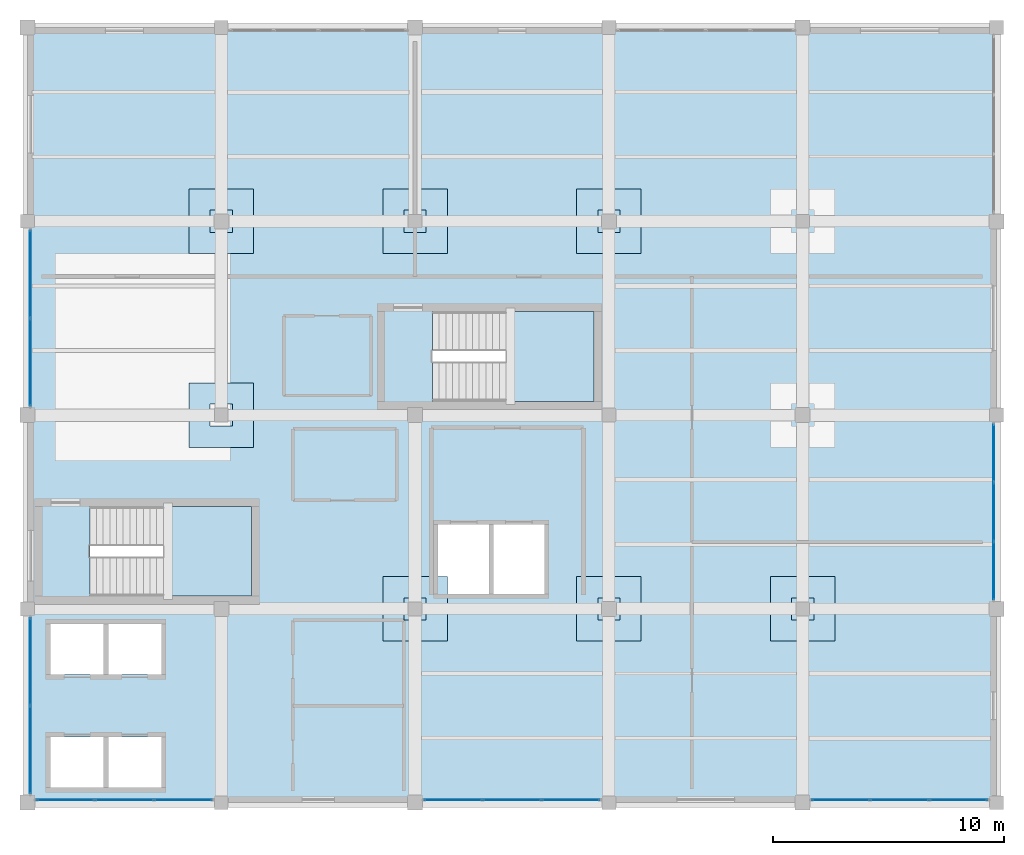
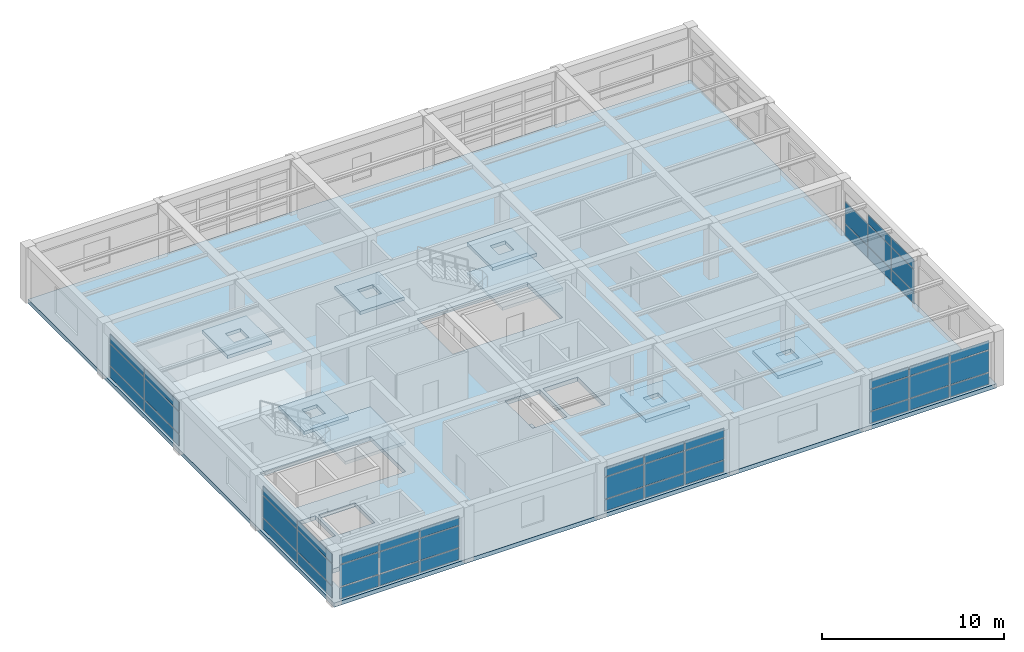
# One storey, part 21 of 25: 47 plates, 10 slabs, 8 elements without a shape of their own.
"""IFC4 building model written with IfcOpenShell, lengths in metres."""

from ifc_helpers import new_model, si_unit, direction, frame, origin, origin_2d, place, context, subcontext, project, spatial, polyline, rectangle, outline, extrude, material, layer, layer_set, type_object, element, aggregate, save


model = new_model("IFC4")

# Units and contexts
model_context = context("Model", 3, precision=1e-05, world=origin(), true_north=direction((0.0, 1.0)))
body_context = subcontext(model_context, "Body", "Model", "MODEL_VIEW")
ifc_project = project(units=[si_unit("LENGTHUNIT", "METRE"), si_unit("AREAUNIT", "SQUARE_METRE"), si_unit("VOLUMEUNIT", "CUBIC_METRE"), si_unit("PLANEANGLEUNIT", "RADIAN"), si_unit("MASSUNIT", "GRAM", prefix="KILO")], contexts=[model_context])

# Site, building, storey
site_placement = place(None, origin())
site = spatial("IfcSite", under=ifc_project, at=site_placement, CompositionType="ELEMENT")
building_placement = place(site_placement, origin())
building = spatial("IfcBuilding", under=site, at=building_placement, Name="Almacenes y Pasaje Nevantli", CompositionType="ELEMENT")
storey_placement = place(building_placement, frame((0.0, 0.0, 50.699951171875)))
storey = spatial("IfcBuildingStorey", under=building, at=storey_placement, Name="L12", CompositionType="ELEMENT", Elevation=50.699951171875)

# Curtain wall, plates
ifc_material_1 = material(Name="Thermally Broken Aluminium and Low-E Glass", Category="aluminium")
curtain_wall_type = type_object("IfcCurtainWallType", Name="CW-UNIT-TOWER", PredefinedType="USERDEFINED", material=ifc_material_1)
curtain_wall_1_placement = place(storey_placement, origin())
curtain_wall_1 = element("IfcCurtainWall", 1, at=curtain_wall_1_placement, inside=storey, type_object=curtain_wall_type, Name="L12 Tower South Unitized Curtain Wall Bay 15", ObjectType="UNITIZED CURTAIN WALL", PredefinedType="USERDEFINED")
ifc_material_2 = material(Name="Low-E Double Glazed Insulated Unit", Category="glass")
ifc_layer_1 = layer(ifc_material_2, 0.031982421875)
ifc_layer_set_1 = layer_set([ifc_layer_1], Name="Low-E Double Glazed Insulated Unit")
plate_type_1 = type_object("IfcPlateType", Name="PL-IGU-32", PredefinedType="CURTAIN_PANEL", material=ifc_layer_set_1)
plate_1_placement = place(storey_placement, frame((119.248291015625, 67.320068359375, 0.06005859375), z_axis=(0.0, 0.0, 1.0), x_axis=(1.0, 0.0, 0.0)))
plate_1 = element("IfcPlate", 2, at=plate_1_placement, type_object=plate_type_1, Name="CW-L12-159 panel 1.1", PredefinedType="CURTAIN_PANEL", context=body_context, shape_type="SweptSolid", body=[
    extrude(rectangle(XDim=2.4765625, YDim=0.031982421875, at=origin_2d()), origin(), (0.0, 0.0, 1.0), 0.760009765625),
])
plate_2_placement = place(storey_placement, frame((119.248291015625, 67.320068359375, 0.880126953125), z_axis=(0.0, 0.0, 1.0), x_axis=(1.0, 0.0, 0.0)))
plate_2 = element("IfcPlate", 3, at=plate_2_placement, type_object=plate_type_1, Name="CW-L12-159 panel 1.2", PredefinedType="CURTAIN_PANEL", context=body_context, shape_type="SweptSolid", body=[
    extrude(rectangle(XDim=2.4765625, YDim=0.031982421875, at=origin_2d()), origin(), (0.0, 0.0, 1.0), 1.43994140625),
])
plate_3_placement = place(storey_placement, frame((119.248291015625, 67.320068359375, 2.3798828125), z_axis=(0.0, 0.0, 1.0), x_axis=(1.0, 0.0, 0.0)))
plate_3 = element("IfcPlate", 4, at=plate_3_placement, type_object=plate_type_1, Name="CW-L12-159 panel 1.3", PredefinedType="CURTAIN_PANEL", context=body_context, shape_type="SweptSolid", body=[
    extrude(rectangle(XDim=2.4765625, YDim=0.031982421875, at=origin_2d()), origin(), (0.0, 0.0, 1.0), 0.60009765625),
])
plate_4_placement = place(storey_placement, frame((121.800048828125, 67.320068359375, 0.06005859375), z_axis=(0.0, 0.0, 1.0), x_axis=(1.0, 0.0, 0.0)))
plate_4 = element("IfcPlate", 5, at=plate_4_placement, type_object=plate_type_1, Name="CW-L12-159 panel 2.1", PredefinedType="CURTAIN_PANEL", context=body_context, shape_type="SweptSolid", body=[
    extrude(rectangle(XDim=2.506591796875, YDim=0.031982421875, at=origin_2d()), origin(), (0.0, 0.0, 1.0), 0.760009765625),
])
plate_5_placement = place(storey_placement, frame((121.800048828125, 67.320068359375, 0.880126953125), z_axis=(0.0, 0.0, 1.0), x_axis=(1.0, 0.0, 0.0)))
plate_5 = element("IfcPlate", 6, at=plate_5_placement, type_object=plate_type_1, Name="CW-L12-159 panel 2.2", PredefinedType="CURTAIN_PANEL", context=body_context, shape_type="SweptSolid", body=[
    extrude(rectangle(XDim=2.506591796875, YDim=0.031982421875, at=origin_2d()), origin(), (0.0, 0.0, 1.0), 1.43994140625),
])
plate_6_placement = place(storey_placement, frame((121.800048828125, 67.320068359375, 2.3798828125), z_axis=(0.0, 0.0, 1.0), x_axis=(1.0, 0.0, 0.0)))
plate_6 = element("IfcPlate", 7, at=plate_6_placement, type_object=plate_type_1, Name="CW-L12-159 panel 2.3", PredefinedType="CURTAIN_PANEL", context=body_context, shape_type="SweptSolid", body=[
    extrude(rectangle(XDim=2.506591796875, YDim=0.031982421875, at=origin_2d()), origin(), (0.0, 0.0, 1.0), 0.60009765625),
])
plate_7_placement = place(storey_placement, frame((124.3515625, 67.320068359375, 0.06005859375), z_axis=(0.0, 0.0, 1.0), x_axis=(1.0, 0.0, 0.0)))
plate_7 = element("IfcPlate", 8, at=plate_7_placement, type_object=plate_type_1, Name="CW-L12-159 panel 3.1", PredefinedType="CURTAIN_PANEL", context=body_context, shape_type="SweptSolid", body=[
    extrude(rectangle(XDim=2.4765625, YDim=0.031982421875, at=origin_2d()), origin(), (0.0, 0.0, 1.0), 0.760009765625),
])
plate_8_placement = place(storey_placement, frame((124.3515625, 67.320068359375, 0.880126953125), z_axis=(0.0, 0.0, 1.0), x_axis=(1.0, 0.0, 0.0)))
plate_8 = element("IfcPlate", 9, at=plate_8_placement, type_object=plate_type_1, Name="CW-L12-159 panel 3.2", PredefinedType="CURTAIN_PANEL", context=body_context, shape_type="SweptSolid", body=[
    extrude(rectangle(XDim=2.4765625, YDim=0.031982421875, at=origin_2d()), origin(), (0.0, 0.0, 1.0), 1.43994140625),
])
plate_9_placement = place(storey_placement, frame((124.3515625, 67.320068359375, 2.3798828125), z_axis=(0.0, 0.0, 1.0), x_axis=(1.0, 0.0, 0.0)))
plate_9 = element("IfcPlate", 10, at=plate_9_placement, type_object=plate_type_1, Name="CW-L12-159 panel 3.3", PredefinedType="CURTAIN_PANEL", context=body_context, shape_type="SweptSolid", body=[
    extrude(rectangle(XDim=2.4765625, YDim=0.031982421875, at=origin_2d()), origin(), (0.0, 0.0, 1.0), 0.60009765625),
])
aggregate(curtain_wall_1, [plate_1, plate_2, plate_3, plate_4, plate_5, plate_6, plate_7, plate_8, plate_9])

curtain_wall_2_placement = place(storey_placement, origin())
curtain_wall_2 = element("IfcCurtainWall", 11, at=curtain_wall_2_placement, inside=storey, type_object=curtain_wall_type, Name="L12 Tower South Unitized Curtain Wall Bay 17", ObjectType="UNITIZED CURTAIN WALL", PredefinedType="USERDEFINED")
plate_10_placement = place(storey_placement, frame((136.04833984375, 67.320068359375, 0.06005859375), z_axis=(0.0, 0.0, 1.0), x_axis=(1.0, 0.0, 0.0)))
plate_10 = element("IfcPlate", 12, at=plate_10_placement, type_object=plate_type_1, Name="CW-L12-161 panel 1.1", PredefinedType="CURTAIN_PANEL", context=body_context, shape_type="SweptSolid", body=[
    extrude(rectangle(XDim=2.4765625, YDim=0.031982421875, at=origin_2d()), origin(), (0.0, 0.0, 1.0), 0.760009765625),
])
plate_11_placement = place(storey_placement, frame((136.04833984375, 67.320068359375, 0.880126953125), z_axis=(0.0, 0.0, 1.0), x_axis=(1.0, 0.0, 0.0)))
plate_11 = element("IfcPlate", 13, at=plate_11_placement, type_object=plate_type_1, Name="CW-L12-161 panel 1.2", PredefinedType="CURTAIN_PANEL", context=body_context, shape_type="SweptSolid", body=[
    extrude(rectangle(XDim=2.4765625, YDim=0.031982421875, at=origin_2d()), origin(), (0.0, 0.0, 1.0), 1.43994140625),
])
plate_12_placement = place(storey_placement, frame((136.04833984375, 67.320068359375, 2.3798828125), z_axis=(0.0, 0.0, 1.0), x_axis=(1.0, 0.0, 0.0)))
plate_12 = element("IfcPlate", 14, at=plate_12_placement, type_object=plate_type_1, Name="CW-L12-161 panel 1.3", PredefinedType="CURTAIN_PANEL", context=body_context, shape_type="SweptSolid", body=[
    extrude(rectangle(XDim=2.4765625, YDim=0.031982421875, at=origin_2d()), origin(), (0.0, 0.0, 1.0), 0.60009765625),
])
plate_13_placement = place(storey_placement, frame((138.60009765625, 67.320068359375, 0.06005859375), z_axis=(0.0, 0.0, 1.0), x_axis=(1.0, 0.0, 0.0)))
plate_13 = element("IfcPlate", 15, at=plate_13_placement, type_object=plate_type_1, Name="CW-L12-161 panel 2.1", PredefinedType="CURTAIN_PANEL", context=body_context, shape_type="SweptSolid", body=[
    extrude(rectangle(XDim=2.506591796875, YDim=0.031982421875, at=origin_2d()), origin(), (0.0, 0.0, 1.0), 0.760009765625),
])
plate_14_placement = place(storey_placement, frame((138.60009765625, 67.320068359375, 0.880126953125), z_axis=(0.0, 0.0, 1.0), x_axis=(1.0, 0.0, 0.0)))
plate_14 = element("IfcPlate", 16, at=plate_14_placement, type_object=plate_type_1, Name="CW-L12-161 panel 2.2", PredefinedType="CURTAIN_PANEL", context=body_context, shape_type="SweptSolid", body=[
    extrude(rectangle(XDim=2.506591796875, YDim=0.031982421875, at=origin_2d()), origin(), (0.0, 0.0, 1.0), 1.43994140625),
])
plate_15_placement = place(storey_placement, frame((138.60009765625, 67.320068359375, 2.3798828125), z_axis=(0.0, 0.0, 1.0), x_axis=(1.0, 0.0, 0.0)))
plate_15 = element("IfcPlate", 17, at=plate_15_placement, type_object=plate_type_1, Name="CW-L12-161 panel 2.3", PredefinedType="CURTAIN_PANEL", context=body_context, shape_type="SweptSolid", body=[
    extrude(rectangle(XDim=2.506591796875, YDim=0.031982421875, at=origin_2d()), origin(), (0.0, 0.0, 1.0), 0.60009765625),
])
plate_16_placement = place(storey_placement, frame((141.151611328125, 67.320068359375, 0.06005859375), z_axis=(0.0, 0.0, 1.0), x_axis=(1.0, 0.0, 0.0)))
plate_16 = element("IfcPlate", 18, at=plate_16_placement, type_object=plate_type_1, Name="CW-L12-161 panel 3.1", PredefinedType="CURTAIN_PANEL", context=body_context, shape_type="SweptSolid", body=[
    extrude(rectangle(XDim=2.4765625, YDim=0.031982421875, at=origin_2d()), origin(), (0.0, 0.0, 1.0), 0.760009765625),
])
plate_17_placement = place(storey_placement, frame((141.151611328125, 67.320068359375, 0.880126953125), z_axis=(0.0, 0.0, 1.0), x_axis=(1.0, 0.0, 0.0)))
plate_17 = element("IfcPlate", 19, at=plate_17_placement, type_object=plate_type_1, Name="CW-L12-161 panel 3.2", PredefinedType="CURTAIN_PANEL", context=body_context, shape_type="SweptSolid", body=[
    extrude(rectangle(XDim=2.4765625, YDim=0.031982421875, at=origin_2d()), origin(), (0.0, 0.0, 1.0), 1.43994140625),
])
plate_18_placement = place(storey_placement, frame((141.151611328125, 67.320068359375, 2.3798828125), z_axis=(0.0, 0.0, 1.0), x_axis=(1.0, 0.0, 0.0)))
plate_18 = element("IfcPlate", 20, at=plate_18_placement, type_object=plate_type_1, Name="CW-L12-161 panel 3.3", PredefinedType="CURTAIN_PANEL", context=body_context, shape_type="SweptSolid", body=[
    extrude(rectangle(XDim=2.4765625, YDim=0.031982421875, at=origin_2d()), origin(), (0.0, 0.0, 1.0), 0.60009765625),
])
aggregate(curtain_wall_2, [plate_10, plate_11, plate_12, plate_13, plate_14, plate_15, plate_16, plate_17, plate_18])

curtain_wall_3_placement = place(storey_placement, origin())
curtain_wall_3 = element("IfcCurtainWall", 21, at=curtain_wall_3_placement, inside=storey, type_object=curtain_wall_type, Name="L12 Tower South Unitized Curtain Wall Bay 19", ObjectType="UNITIZED CURTAIN WALL", PredefinedType="USERDEFINED")
plate_19_placement = place(storey_placement, frame((152.848388671875, 67.320068359375, 0.06005859375), z_axis=(0.0, 0.0, 1.0), x_axis=(1.0, 0.0, 0.0)))
plate_19 = element("IfcPlate", 22, at=plate_19_placement, type_object=plate_type_1, Name="CW-L12-163 panel 1.1", PredefinedType="CURTAIN_PANEL", context=body_context, shape_type="SweptSolid", body=[
    extrude(rectangle(XDim=2.4765625, YDim=0.031982421875, at=origin_2d()), origin(), (0.0, 0.0, 1.0), 0.760009765625),
])
plate_20_placement = place(storey_placement, frame((152.848388671875, 67.320068359375, 0.880126953125), z_axis=(0.0, 0.0, 1.0), x_axis=(1.0, 0.0, 0.0)))
plate_20 = element("IfcPlate", 23, at=plate_20_placement, type_object=plate_type_1, Name="CW-L12-163 panel 1.2", PredefinedType="CURTAIN_PANEL", context=body_context, shape_type="SweptSolid", body=[
    extrude(rectangle(XDim=2.4765625, YDim=0.031982421875, at=origin_2d()), origin(), (0.0, 0.0, 1.0), 1.43994140625),
])
plate_21_placement = place(storey_placement, frame((152.848388671875, 67.320068359375, 2.3798828125), z_axis=(0.0, 0.0, 1.0), x_axis=(1.0, 0.0, 0.0)))
plate_21 = element("IfcPlate", 24, at=plate_21_placement, type_object=plate_type_1, Name="CW-L12-163 panel 1.3", PredefinedType="CURTAIN_PANEL", context=body_context, shape_type="SweptSolid", body=[
    extrude(rectangle(XDim=2.4765625, YDim=0.031982421875, at=origin_2d()), origin(), (0.0, 0.0, 1.0), 0.60009765625),
])
plate_22_placement = place(storey_placement, frame((155.39990234375, 67.320068359375, 0.06005859375), z_axis=(0.0, 0.0, 1.0), x_axis=(1.0, 0.0, 0.0)))
plate_22 = element("IfcPlate", 25, at=plate_22_placement, type_object=plate_type_1, Name="CW-L12-163 panel 2.1", PredefinedType="CURTAIN_PANEL", context=body_context, shape_type="SweptSolid", body=[
    extrude(rectangle(XDim=2.506591796875, YDim=0.031982421875, at=origin_2d()), origin(), (0.0, 0.0, 1.0), 0.760009765625),
])
plate_23_placement = place(storey_placement, frame((155.39990234375, 67.320068359375, 0.880126953125), z_axis=(0.0, 0.0, 1.0), x_axis=(1.0, 0.0, 0.0)))
plate_23 = element("IfcPlate", 26, at=plate_23_placement, type_object=plate_type_1, Name="CW-L12-163 panel 2.2", PredefinedType="CURTAIN_PANEL", context=body_context, shape_type="SweptSolid", body=[
    extrude(rectangle(XDim=2.506591796875, YDim=0.031982421875, at=origin_2d()), origin(), (0.0, 0.0, 1.0), 1.43994140625),
])
plate_24_placement = place(storey_placement, frame((155.39990234375, 67.320068359375, 2.3798828125), z_axis=(0.0, 0.0, 1.0), x_axis=(1.0, 0.0, 0.0)))
plate_24 = element("IfcPlate", 27, at=plate_24_placement, type_object=plate_type_1, Name="CW-L12-163 panel 2.3", PredefinedType="CURTAIN_PANEL", context=body_context, shape_type="SweptSolid", body=[
    extrude(rectangle(XDim=2.506591796875, YDim=0.031982421875, at=origin_2d()), origin(), (0.0, 0.0, 1.0), 0.60009765625),
])
plate_25_placement = place(storey_placement, frame((157.95166015625, 67.320068359375, 0.06005859375), z_axis=(0.0, 0.0, 1.0), x_axis=(1.0, 0.0, 0.0)))
plate_25 = element("IfcPlate", 28, at=plate_25_placement, type_object=plate_type_1, Name="CW-L12-163 panel 3.1", PredefinedType="CURTAIN_PANEL", context=body_context, shape_type="SweptSolid", body=[
    extrude(rectangle(XDim=2.4765625, YDim=0.031982421875, at=origin_2d()), origin(), (0.0, 0.0, 1.0), 0.760009765625),
])
plate_26_placement = place(storey_placement, frame((157.95166015625, 67.320068359375, 0.880126953125), z_axis=(0.0, 0.0, 1.0), x_axis=(1.0, 0.0, 0.0)))
plate_26 = element("IfcPlate", 29, at=plate_26_placement, type_object=plate_type_1, Name="CW-L12-163 panel 3.2", PredefinedType="CURTAIN_PANEL", context=body_context, shape_type="SweptSolid", body=[
    extrude(rectangle(XDim=2.4765625, YDim=0.031982421875, at=origin_2d()), origin(), (0.0, 0.0, 1.0), 1.43994140625),
])
plate_27_placement = place(storey_placement, frame((157.95166015625, 67.320068359375, 2.3798828125), z_axis=(0.0, 0.0, 1.0), x_axis=(1.0, 0.0, 0.0)))
plate_27 = element("IfcPlate", 30, at=plate_27_placement, type_object=plate_type_1, Name="CW-L12-163 panel 3.3", PredefinedType="CURTAIN_PANEL", context=body_context, shape_type="SweptSolid", body=[
    extrude(rectangle(XDim=2.4765625, YDim=0.031982421875, at=origin_2d()), origin(), (0.0, 0.0, 1.0), 0.60009765625),
])
aggregate(curtain_wall_3, [plate_19, plate_20, plate_21, plate_22, plate_23, plate_24, plate_25, plate_26, plate_27])

curtain_wall_4_placement = place(storey_placement, origin())
curtain_wall_4 = element("IfcCurtainWall", 31, at=curtain_wall_4_placement, inside=storey, type_object=curtain_wall_type, Name="L12 Tower West Curtain Wall Bay 9", ObjectType="UNITIZED CURTAIN WALL", PredefinedType="USERDEFINED")
plate_28_placement = place(storey_placement, frame((117.719970703125, 69.489990234375, 0.06005859375), z_axis=(0.0, 0.0, 1.0), x_axis=(0.0, 1.0, 0.0)))
plate_28 = element("IfcPlate", 32, at=plate_28_placement, type_object=plate_type_1, Name="CW-L12-164 panel 1.1", PredefinedType="CURTAIN_PANEL", context=body_context, shape_type="SweptSolid", body=[
    extrude(rectangle(XDim=3.760009765625, YDim=0.031982421875, at=origin_2d()), origin(), (0.0, 0.0, 1.0), 0.760009765625),
])
plate_29_placement = place(storey_placement, frame((117.719970703125, 69.489990234375, 0.880126953125), z_axis=(0.0, 0.0, 1.0), x_axis=(0.0, 1.0, 0.0)))
plate_29 = element("IfcPlate", 33, at=plate_29_placement, type_object=plate_type_1, Name="CW-L12-164 panel 1.2", PredefinedType="CURTAIN_PANEL", context=body_context, shape_type="SweptSolid", body=[
    extrude(rectangle(XDim=3.760009765625, YDim=0.031982421875, at=origin_2d()), origin(), (0.0, 0.0, 1.0), 1.43994140625),
])
plate_30_placement = place(storey_placement, frame((117.719970703125, 69.489990234375, 2.3798828125), z_axis=(0.0, 0.0, 1.0), x_axis=(0.0, 1.0, 0.0)))
plate_30 = element("IfcPlate", 34, at=plate_30_placement, type_object=plate_type_1, Name="CW-L12-164 panel 1.3", PredefinedType="CURTAIN_PANEL", context=body_context, shape_type="SweptSolid", body=[
    extrude(rectangle(XDim=3.760009765625, YDim=0.031982421875, at=origin_2d()), origin(), (0.0, 0.0, 1.0), 0.60009765625),
])
plate_31_placement = place(storey_placement, frame((117.719970703125, 73.31005859375, 0.06005859375), z_axis=(0.0, 0.0, 1.0), x_axis=(0.0, 1.0, 0.0)))
plate_31 = element("IfcPlate", 35, at=plate_31_placement, type_object=plate_type_1, Name="CW-L12-164 panel 2.1", PredefinedType="CURTAIN_PANEL", context=body_context, shape_type="SweptSolid", body=[
    extrude(rectangle(XDim=3.760009765625, YDim=0.031982421875, at=origin_2d()), origin(), (0.0, 0.0, 1.0), 0.760009765625),
])
plate_32_placement = place(storey_placement, frame((117.719970703125, 73.31005859375, 0.880126953125), z_axis=(0.0, 0.0, 1.0), x_axis=(0.0, 1.0, 0.0)))
plate_32 = element("IfcPlate", 36, at=plate_32_placement, type_object=plate_type_1, Name="CW-L12-164 panel 2.2", PredefinedType="CURTAIN_PANEL", context=body_context, shape_type="SweptSolid", body=[
    extrude(rectangle(XDim=3.760009765625, YDim=0.031982421875, at=origin_2d()), origin(), (0.0, 0.0, 1.0), 1.43994140625),
])
plate_33_placement = place(storey_placement, frame((117.719970703125, 73.31005859375, 2.3798828125), z_axis=(0.0, 0.0, 1.0), x_axis=(0.0, 1.0, 0.0)))
plate_33 = element("IfcPlate", 37, at=plate_33_placement, type_object=plate_type_1, Name="CW-L12-164 panel 2.3", PredefinedType="CURTAIN_PANEL", context=body_context, shape_type="SweptSolid", body=[
    extrude(rectangle(XDim=3.760009765625, YDim=0.031982421875, at=origin_2d()), origin(), (0.0, 0.0, 1.0), 0.60009765625),
])
aggregate(curtain_wall_4, [plate_28, plate_29, plate_30, plate_31, plate_32, plate_33])

curtain_wall_5_placement = place(storey_placement, origin())
curtain_wall_5 = element("IfcCurtainWall", 38, at=curtain_wall_5_placement, inside=storey, type_object=curtain_wall_type, Name="L12 Tower West Curtain Wall Bay 11", ObjectType="UNITIZED CURTAIN WALL", PredefinedType="USERDEFINED")
plate_34_placement = place(storey_placement, frame((117.719970703125, 86.2900390625, 0.06005859375), z_axis=(0.0, 0.0, 1.0), x_axis=(0.0, 1.0, 0.0)))
plate_34 = element("IfcPlate", 39, at=plate_34_placement, type_object=plate_type_1, Name="CW-L12-166 panel 1.1", PredefinedType="CURTAIN_PANEL", context=body_context, shape_type="SweptSolid", body=[
    extrude(rectangle(XDim=3.760009765625, YDim=0.031982421875, at=origin_2d()), origin(), (0.0, 0.0, 1.0), 0.760009765625),
])
plate_35_placement = place(storey_placement, frame((117.719970703125, 86.2900390625, 0.880126953125), z_axis=(0.0, 0.0, 1.0), x_axis=(0.0, 1.0, 0.0)))
plate_35 = element("IfcPlate", 40, at=plate_35_placement, type_object=plate_type_1, Name="CW-L12-166 panel 1.2", PredefinedType="CURTAIN_PANEL", context=body_context, shape_type="SweptSolid", body=[
    extrude(rectangle(XDim=3.760009765625, YDim=0.031982421875, at=origin_2d()), origin(), (0.0, 0.0, 1.0), 1.43994140625),
])
plate_36_placement = place(storey_placement, frame((117.719970703125, 86.2900390625, 2.3798828125), z_axis=(0.0, 0.0, 1.0), x_axis=(0.0, 1.0, 0.0)))
plate_36 = element("IfcPlate", 41, at=plate_36_placement, type_object=plate_type_1, Name="CW-L12-166 panel 1.3", PredefinedType="CURTAIN_PANEL", context=body_context, shape_type="SweptSolid", body=[
    extrude(rectangle(XDim=3.760009765625, YDim=0.031982421875, at=origin_2d()), origin(), (0.0, 0.0, 1.0), 0.60009765625),
])
plate_37_placement = place(storey_placement, frame((117.719970703125, 90.110107421875, 0.06005859375), z_axis=(0.0, 0.0, 1.0), x_axis=(0.0, 1.0, 0.0)))
plate_37 = element("IfcPlate", 42, at=plate_37_placement, type_object=plate_type_1, Name="CW-L12-166 panel 2.1", PredefinedType="CURTAIN_PANEL", context=body_context, shape_type="SweptSolid", body=[
    extrude(rectangle(XDim=3.760009765625, YDim=0.031982421875, at=origin_2d()), origin(), (0.0, 0.0, 1.0), 0.760009765625),
])
plate_38_placement = place(storey_placement, frame((117.719970703125, 90.110107421875, 0.880126953125), z_axis=(0.0, 0.0, 1.0), x_axis=(0.0, 1.0, 0.0)))
plate_38 = element("IfcPlate", 43, at=plate_38_placement, type_object=plate_type_1, Name="CW-L12-166 panel 2.2", PredefinedType="CURTAIN_PANEL", context=body_context, shape_type="SweptSolid", body=[
    extrude(rectangle(XDim=3.760009765625, YDim=0.031982421875, at=origin_2d()), origin(), (0.0, 0.0, 1.0), 1.43994140625),
])
plate_39_placement = place(storey_placement, frame((117.719970703125, 90.110107421875, 2.3798828125), z_axis=(0.0, 0.0, 1.0), x_axis=(0.0, 1.0, 0.0)))
plate_39 = element("IfcPlate", 44, at=plate_39_placement, type_object=plate_type_1, Name="CW-L12-166 panel 2.3", PredefinedType="CURTAIN_PANEL", context=body_context, shape_type="SweptSolid", body=[
    extrude(rectangle(XDim=3.760009765625, YDim=0.031982421875, at=origin_2d()), origin(), (0.0, 0.0, 1.0), 0.60009765625),
])
aggregate(curtain_wall_5, [plate_34, plate_35, plate_36, plate_37, plate_38, plate_39])

curtain_wall_6_placement = place(storey_placement, origin())
curtain_wall_6 = element("IfcCurtainWall", 45, at=curtain_wall_6_placement, inside=storey, type_object=curtain_wall_type, Name="L12 Tower East Curtain Wall Bay 10", ObjectType="UNITIZED CURTAIN WALL", PredefinedType="USERDEFINED")
ifc_material_3 = material(Name="Acoustic Tempered Low-E Triple Glazed Unit", Category="glass")
ifc_layer_2 = layer(ifc_material_3, 0.0419921875)
ifc_layer_set_2 = layer_set([ifc_layer_2], Name="Acoustic Tempered Low-E Triple Glazed Unit")
plate_type_2 = type_object("IfcPlateType", Name="PL-IGU-42", PredefinedType="CURTAIN_PANEL", material=ifc_layer_set_2)
plate_40_placement = place(storey_placement, frame((159.47998046875, 77.248291015625, 0.06005859375), z_axis=(0.0, 0.0, 1.0), x_axis=(0.0, 1.0, 0.0)))
plate_40 = element("IfcPlate", 46, at=plate_40_placement, type_object=plate_type_2, Name="CW-L12-165 panel 1.1", PredefinedType="CURTAIN_PANEL", context=body_context, shape_type="SweptSolid", body=[
    extrude(rectangle(XDim=2.4765625, YDim=0.0419921875, at=origin_2d()), origin(), (0.0, 0.0, 1.0), 0.760009765625),
])
plate_41_placement = place(storey_placement, frame((159.47998046875, 77.248291015625, 0.880126953125), z_axis=(0.0, 0.0, 1.0), x_axis=(0.0, 1.0, 0.0)))
plate_41 = element("IfcPlate", 47, at=plate_41_placement, type_object=plate_type_2, Name="CW-L12-165 panel 1.2", PredefinedType="CURTAIN_PANEL", context=body_context, shape_type="SweptSolid", body=[
    extrude(rectangle(XDim=2.4765625, YDim=0.0419921875, at=origin_2d()), origin(), (0.0, 0.0, 1.0), 1.43994140625),
])
plate_42_placement = place(storey_placement, frame((159.47998046875, 77.248291015625, 2.3798828125), z_axis=(0.0, 0.0, 1.0), x_axis=(0.0, 1.0, 0.0)))
plate_42 = element("IfcPlate", 48, at=plate_42_placement, type_object=plate_type_2, Name="CW-L12-165 panel 1.3", PredefinedType="CURTAIN_PANEL", context=body_context, shape_type="SweptSolid", body=[
    extrude(rectangle(XDim=2.4765625, YDim=0.0419921875, at=origin_2d()), origin(), (0.0, 0.0, 1.0), 0.60009765625),
])
plate_43_placement = place(storey_placement, frame((159.47998046875, 79.800048828125, 0.06005859375), z_axis=(0.0, 0.0, 1.0), x_axis=(0.0, 1.0, 0.0)))
plate_43 = element("IfcPlate", 49, at=plate_43_placement, type_object=plate_type_2, Name="CW-L12-165 panel 2.1", PredefinedType="CURTAIN_PANEL", context=body_context, shape_type="SweptSolid", body=[
    extrude(rectangle(XDim=2.506591796875, YDim=0.0419921875, at=origin_2d()), origin(), (0.0, 0.0, 1.0), 0.760009765625),
])
plate_44_placement = place(storey_placement, frame((159.47998046875, 79.800048828125, 0.880126953125), z_axis=(0.0, 0.0, 1.0), x_axis=(0.0, 1.0, 0.0)))
plate_44 = element("IfcPlate", 50, at=plate_44_placement, type_object=plate_type_2, Name="CW-L12-165 panel 2.2", PredefinedType="CURTAIN_PANEL", context=body_context, shape_type="SweptSolid", body=[
    extrude(rectangle(XDim=2.506591796875, YDim=0.0419921875, at=origin_2d()), origin(), (0.0, 0.0, 1.0), 1.43994140625),
])
plate_45_placement = place(storey_placement, frame((159.47998046875, 79.800048828125, 2.3798828125), z_axis=(0.0, 0.0, 1.0), x_axis=(0.0, 1.0, 0.0)))
plate_45 = element("IfcPlate", 51, at=plate_45_placement, type_object=plate_type_2, Name="CW-L12-165 panel 2.3", PredefinedType="CURTAIN_PANEL", context=body_context, shape_type="SweptSolid", body=[
    extrude(rectangle(XDim=2.506591796875, YDim=0.0419921875, at=origin_2d()), origin(), (0.0, 0.0, 1.0), 0.60009765625),
])
plate_46_placement = place(storey_placement, frame((159.47998046875, 82.3515625, 0.06005859375), z_axis=(0.0, 0.0, 1.0), x_axis=(0.0, 1.0, 0.0)))
plate_46 = element("IfcPlate", 52, at=plate_46_placement, type_object=plate_type_2, Name="CW-L12-165 panel 3.1", PredefinedType="CURTAIN_PANEL", context=body_context, shape_type="SweptSolid", body=[
    extrude(rectangle(XDim=2.4765625, YDim=0.0419921875, at=origin_2d()), origin(), (0.0, 0.0, 1.0), 0.760009765625),
])
plate_47_placement = place(storey_placement, frame((159.47998046875, 82.3515625, 0.880126953125), z_axis=(0.0, 0.0, 1.0), x_axis=(0.0, 1.0, 0.0)))
plate_47 = element("IfcPlate", 53, at=plate_47_placement, type_object=plate_type_2, Name="CW-L12-165 panel 3.2", PredefinedType="CURTAIN_PANEL", context=body_context, shape_type="SweptSolid", body=[
    extrude(rectangle(XDim=2.4765625, YDim=0.0419921875, at=origin_2d()), origin(), (0.0, 0.0, 1.0), 1.43994140625),
])
aggregate(curtain_wall_6, [plate_40, plate_41, plate_42, plate_43, plate_44, plate_45, plate_46, plate_47])

# Slabs
ifc_material_4 = material(Name="Concrete C35/45", Category="concrete")
ifc_layer_3 = layer(ifc_material_4, 0.22998046875)
ifc_layer_set_3 = layer_set([ifc_layer_3], Name="Concrete C35/45")
slab_type_1 = type_object("IfcSlabType", Name="SLB-DP-230", PredefinedType="USERDEFINED", material=ifc_layer_set_3)
slab_1_placement = place(storey_placement, frame((0.0, 0.0, -0.510009765625)))
element("IfcSlab", 54, at=slab_1_placement, inside=storey, type_object=slab_type_1, Name="L12 Punching-Shear Drop Panel DP-01 #1161", ObjectType="DROP PANEL", PredefinedType="USERDEFINED", context=body_context, shape_type="SweptSolid", body=[
    extrude(outline(polyline([(124.60009765625, 82.60009765625), (127.39990234375, 82.60009765625), (127.39990234375, 85.39990234375), (124.60009765625, 85.39990234375), (124.60009765625, 82.60009765625)]), holes=[polyline([(125.52001953125, 83.52001953125), (126.47998046875, 83.52001953125), (126.47998046875, 84.47998046875), (125.52001953125, 84.47998046875), (125.52001953125, 83.52001953125)])]), origin(), (0.0, 0.0, 1.0), 0.22998046875),
])
slab_2_placement = place(storey_placement, frame((0.0, 0.0, -0.510009765625)))
element("IfcSlab", 55, at=slab_2_placement, inside=storey, type_object=slab_type_1, Name="L12 Punching-Shear Drop Panel DP-01 #1162", ObjectType="DROP PANEL", PredefinedType="USERDEFINED", context=body_context, shape_type="SweptSolid", body=[
    extrude(outline(polyline([(124.60009765625, 91.0), (127.39990234375, 91.0), (127.39990234375, 93.800048828125), (124.60009765625, 93.800048828125), (124.60009765625, 91.0)]), holes=[polyline([(125.52001953125, 91.919921875), (126.47998046875, 91.919921875), (126.47998046875, 92.8798828125), (125.52001953125, 92.8798828125), (125.52001953125, 91.919921875)])]), origin(), (0.0, 0.0, 1.0), 0.22998046875),
])
slab_3_placement = place(storey_placement, frame((0.0, 0.0, -0.510009765625)))
element("IfcSlab", 56, at=slab_3_placement, inside=storey, type_object=slab_type_1, Name="L12 Punching-Shear Drop Panel DP-01 #1163", ObjectType="DROP PANEL", PredefinedType="USERDEFINED", context=body_context, shape_type="SweptSolid", body=[
    extrude(outline(polyline([(133.0, 74.199951171875), (135.800048828125, 74.199951171875), (135.800048828125, 77.0), (133.0, 77.0), (133.0, 74.199951171875)]), holes=[polyline([(133.919921875, 75.1201171875), (134.8798828125, 75.1201171875), (134.8798828125, 76.080078125), (133.919921875, 76.080078125), (133.919921875, 75.1201171875)])]), origin(), (0.0, 0.0, 1.0), 0.22998046875),
])
slab_4_placement = place(storey_placement, frame((0.0, 0.0, -0.510009765625)))
element("IfcSlab", 57, at=slab_4_placement, inside=storey, type_object=slab_type_1, Name="L12 Punching-Shear Drop Panel DP-01 #1164", ObjectType="DROP PANEL", PredefinedType="USERDEFINED", context=body_context, shape_type="SweptSolid", body=[
    extrude(outline(polyline([(133.0, 91.0), (135.800048828125, 91.0), (135.800048828125, 93.800048828125), (133.0, 93.800048828125), (133.0, 91.0)]), holes=[polyline([(133.919921875, 91.919921875), (134.8798828125, 91.919921875), (134.8798828125, 92.8798828125), (133.919921875, 92.8798828125), (133.919921875, 91.919921875)])]), origin(), (0.0, 0.0, 1.0), 0.22998046875),
])
slab_5_placement = place(storey_placement, frame((0.0, 0.0, -0.510009765625)))
element("IfcSlab", 58, at=slab_5_placement, inside=storey, type_object=slab_type_1, Name="L12 Punching-Shear Drop Panel DP-01 #1165", ObjectType="DROP PANEL", PredefinedType="USERDEFINED", context=body_context, shape_type="SweptSolid", body=[
    extrude(outline(polyline([(141.39990234375, 74.199951171875), (144.199951171875, 74.199951171875), (144.199951171875, 77.0), (141.39990234375, 77.0), (141.39990234375, 74.199951171875)]), holes=[polyline([(142.320068359375, 75.1201171875), (143.280029296875, 75.1201171875), (143.280029296875, 76.080078125), (142.320068359375, 76.080078125), (142.320068359375, 75.1201171875)])]), origin(), (0.0, 0.0, 1.0), 0.22998046875),
])
slab_6_placement = place(storey_placement, frame((0.0, 0.0, -0.510009765625)))
element("IfcSlab", 59, at=slab_6_placement, inside=storey, type_object=slab_type_1, Name="L12 Punching-Shear Drop Panel DP-01 #1166", ObjectType="DROP PANEL", PredefinedType="USERDEFINED", context=body_context, shape_type="SweptSolid", body=[
    extrude(outline(polyline([(141.39990234375, 91.0), (144.199951171875, 91.0), (144.199951171875, 93.800048828125), (141.39990234375, 93.800048828125), (141.39990234375, 91.0)]), holes=[polyline([(142.320068359375, 91.919921875), (143.280029296875, 91.919921875), (143.280029296875, 92.8798828125), (142.320068359375, 92.8798828125), (142.320068359375, 91.919921875)])]), origin(), (0.0, 0.0, 1.0), 0.22998046875),
])
slab_7_placement = place(storey_placement, frame((0.0, 0.0, -0.510009765625)))
element("IfcSlab", 60, at=slab_7_placement, inside=storey, type_object=slab_type_1, Name="L12 Punching-Shear Drop Panel DP-01 #1167", ObjectType="DROP PANEL", PredefinedType="USERDEFINED", context=body_context, shape_type="SweptSolid", body=[
    extrude(outline(polyline([(149.800048828125, 74.199951171875), (152.60009765625, 74.199951171875), (152.60009765625, 77.0), (149.800048828125, 77.0), (149.800048828125, 74.199951171875)]), holes=[polyline([(150.719970703125, 75.1201171875), (151.679931640625, 75.1201171875), (151.679931640625, 76.080078125), (150.719970703125, 76.080078125), (150.719970703125, 75.1201171875)])]), origin(), (0.0, 0.0, 1.0), 0.22998046875),
])
ifc_material_5 = material(Name="Concrete C35/45", Category="concrete")
ifc_layer_4 = layer(ifc_material_5, 0.280029296875)
ifc_layer_set_4 = layer_set([ifc_layer_4], Name="Concrete C35/45")
slab_type_2 = type_object("IfcSlabType", Name="SLB-FLR-280", PredefinedType="FLOOR", material=ifc_layer_set_4)
slab_8_placement = place(storey_placement, frame((0.0, 0.0, -0.280029296875)))
element("IfcSlab", 61, at=slab_8_placement, inside=storey, type_object=slab_type_2, Name="L12 Corporate Office Tower Floor Slab", PredefinedType="FLOOR", context=body_context, shape_type="SweptSolid", body=[
    extrude(outline(polyline([(117.60009765625, 67.199951171875), (159.60009765625, 67.199951171875), (159.60009765625, 100.800048828125), (117.60009765625, 100.800048828125), (117.60009765625, 67.199951171875)]), holes=[polyline([(120.31494140625, 76.14990234375), (127.300048828125, 76.14990234375), (127.300048828125, 80.0400390625), (120.31494140625, 80.0400390625), (120.31494140625, 76.14990234375)]), polyline([(135.1650390625, 84.60009765625), (142.14990234375, 84.60009765625), (142.14990234375, 88.489990234375), (135.1650390625, 88.489990234375), (135.1650390625, 84.60009765625)]), polyline([(118.60009765625, 67.85009765625), (120.89990234375, 67.85009765625), (120.89990234375, 70.050048828125), (118.60009765625, 70.050048828125), (118.60009765625, 67.85009765625)]), polyline([(121.10009765625, 67.85009765625), (123.39990234375, 67.85009765625), (123.39990234375, 70.050048828125), (121.10009765625, 70.050048828125), (121.10009765625, 67.85009765625)]), polyline([(118.60009765625, 72.75), (120.89990234375, 72.75), (120.89990234375, 74.949951171875), (118.60009765625, 74.949951171875), (118.60009765625, 72.75)]), polyline([(121.10009765625, 72.75), (123.39990234375, 72.75), (123.39990234375, 74.949951171875), (121.10009765625, 74.949951171875), (121.10009765625, 72.75)]), polyline([(135.39990234375, 76.25), (137.60009765625, 76.25), (137.60009765625, 79.25), (135.39990234375, 79.25), (135.39990234375, 76.25)]), polyline([(137.800048828125, 76.25), (140.0, 76.25), (140.0, 79.25), (137.800048828125, 79.25), (137.800048828125, 76.25)])]), origin(), (0.0, 0.0, 1.0), 0.280029296875),
])

# Stair, slab
ifc_material_6 = material(Name="Concrete C35/45", Category="concrete")
stair_type = type_object("IfcStairType", Name="STR-CORE-1720", PredefinedType="HALF_TURN_STAIR", material=ifc_material_6)
stair_1_placement = place(storey_placement, origin())
stair_1 = element("IfcStair", 62, at=stair_1_placement, inside=storey, type_object=stair_type, Name="L12 Staircase ST-01", PredefinedType="HALF_TURN_STAIR")
ifc_material_7 = material(Name="Concrete C35/45", Category="concrete")
ifc_layer_5 = layer(ifc_material_7, 0.199951171875)
ifc_layer_set_5 = layer_set([ifc_layer_5], Name="Concrete C35/45")
slab_type_3 = type_object("IfcSlabType", Name="SLB-LAND-200", PredefinedType="LANDING", material=ifc_layer_set_5)
slab_9_placement = place(storey_placement, frame((0.0, 0.0, 1.800048828125)))
slab_9 = element("IfcSlab", 63, at=slab_9_placement, type_object=slab_type_3, Name="ST-01-L12 landing 1", PredefinedType="LANDING", context=body_context, shape_type="SweptSolid", body=[
    extrude(outline(polyline([(123.47509765625, 76.14990234375), (127.300048828125, 76.14990234375), (127.300048828125, 80.0400390625), (123.47509765625, 80.0400390625), (123.47509765625, 76.14990234375)])), origin(), (0.0, 0.0, 1.0), 0.199951171875),
])
aggregate(stair_1, [slab_9])

stair_2_placement = place(storey_placement, origin())
stair_2 = element("IfcStair", 64, at=stair_2_placement, inside=storey, type_object=stair_type, Name="L12 Staircase ST-02", PredefinedType="HALF_TURN_STAIR")
slab_10_placement = place(storey_placement, frame((0.0, 0.0, 1.800048828125)))
slab_10 = element("IfcSlab", 65, at=slab_10_placement, type_object=slab_type_3, Name="ST-02-L12 landing 1", PredefinedType="LANDING", context=body_context, shape_type="SweptSolid", body=[
    extrude(outline(polyline([(138.324951171875, 84.60009765625), (142.14990234375, 84.60009765625), (142.14990234375, 88.489990234375), (138.324951171875, 88.489990234375), (138.324951171875, 84.60009765625)])), origin(), (0.0, 0.0, 1.0), 0.199951171875),
])
aggregate(stair_2, [slab_10])

save(model, "model.ifc")
